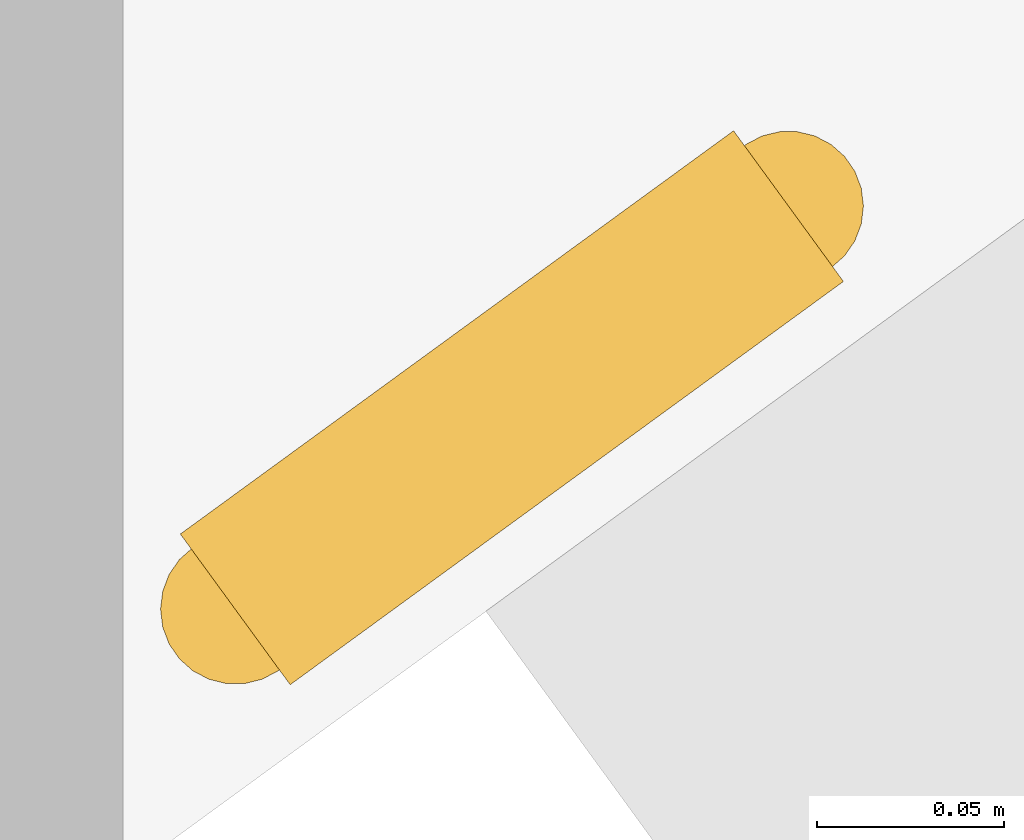
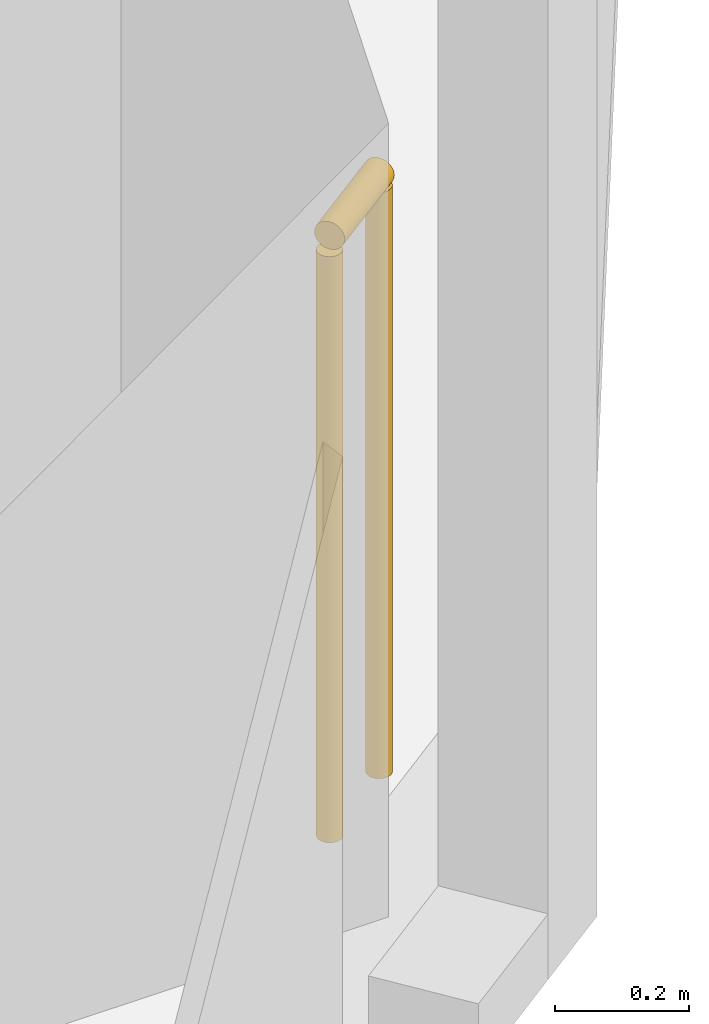
# One storey, part 24 of 24: 1 railing.
"""IFC4 building model written with IfcOpenShell, lengths in metres."""

from ifc_helpers import new_model, si_unit, direction, frame, origin, origin_2d, place, context, subcontext, project, spatial, circle, extrude, material, type_object, element, save


model = new_model("IFC4")

# Units and contexts
model_context = context("Model", 3, precision=1e-05, world=origin(), true_north=direction((0.0, 1.0)))
body_context = subcontext(model_context, "Body", "Model", "MODEL_VIEW")
ifc_project = project(units=[si_unit("LENGTHUNIT", "METRE"), si_unit("AREAUNIT", "SQUARE_METRE"), si_unit("VOLUMEUNIT", "CUBIC_METRE"), si_unit("PLANEANGLEUNIT", "RADIAN"), si_unit("MASSUNIT", "GRAM", prefix="KILO")], contexts=[model_context])

# Site, building, storey
site_placement = place(None, origin())
site = spatial("IfcSite", under=ifc_project, at=site_placement, CompositionType="ELEMENT")
building_placement = place(site_placement, origin())
building = spatial("IfcBuilding", under=site, at=building_placement, Name="Orlundy Tower", CompositionType="ELEMENT")
storey_placement = place(building_placement, frame((0.0, 0.0, 267.5)))
storey = spatial("IfcBuildingStorey", under=building, at=storey_placement, Name="L71", CompositionType="ELEMENT", Elevation=267.5)

# Railing
ifc_material = material(Name="Stainless steel bronze finish", Category="steel")
railing_type = type_object("IfcRailingType", Name="TG1 terrace guard", PredefinedType="GUARDRAIL", material=ifc_material)
railing_placement = place(storey_placement, frame((38.435791015625, -3.45361328125, 0.0)))
element("IfcRailing", 1, at=railing_placement, inside=storey, type_object=railing_type, Name="Guard TG-L71-E10", PredefinedType="GUARDRAIL", context=body_context, shape_type="SweptSolid", body=[
    extrude(circle(Radius=0.02490234375, at=origin_2d()), frame((0.0, 0.0, 1.09521484375), z_axis=(-0.80810025107, -0.589044976399, 0.0), x_axis=(0.589044976399, -0.80810025107, 0.0)), (0.0, 0.0, 1.0), 0.182861328125),
    extrude(circle(Radius=0.02001953125, at=origin_2d()), origin(), (0.0, 0.0, 1.0), 1.070068359375),
    extrude(circle(Radius=0.02001953125, at=origin_2d()), frame((-0.147705078125, -0.107666015625, 0.0)), (0.0, 0.0, 1.0), 1.070068359375),
])

save(model, "model.ifc")
